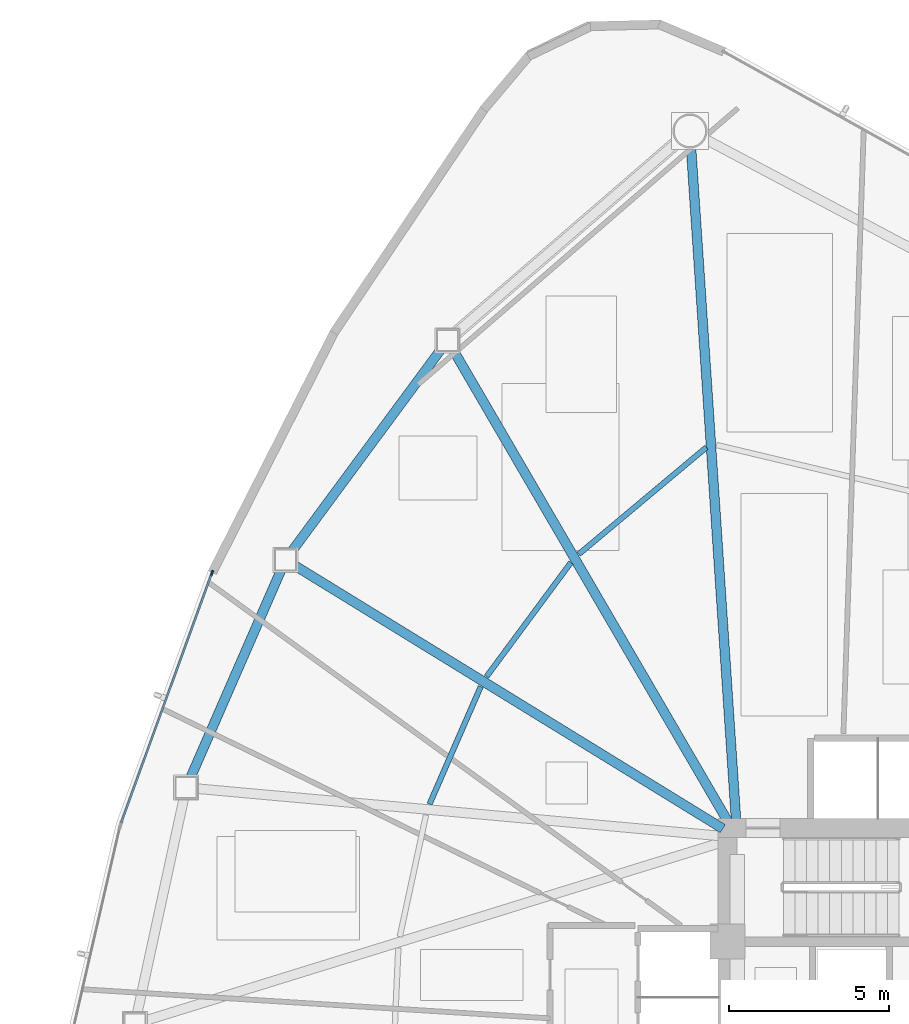
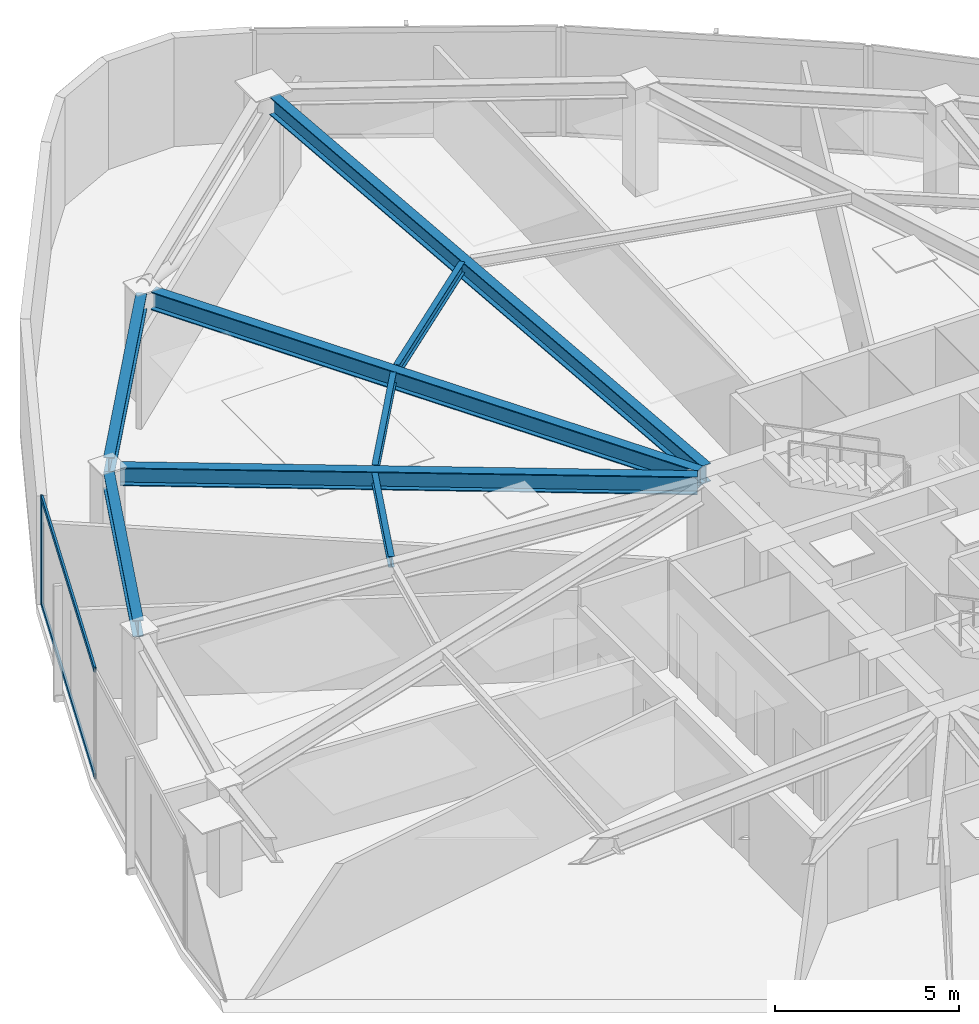
# One storey, part 7 of 17: 8 beams, 3 members, 1 element without a shape of its own.
"""IFC4 building model written with IfcOpenShell, lengths in metres."""

from ifc_helpers import new_model, si_unit, direction, frame, origin, origin_2d, place, context, subcontext, project, spatial, hollow_rectangle, i_section, extrude, source, transform, mapped, material, layer, layer_set, material_profile, profile_set, type_object, type_shapes, element, aggregate, save


model = new_model("IFC4")

# Units and contexts
model_context = context("Model", 3, precision=1e-05, world=origin(), true_north=direction((0.0, 1.0)))
body_context = subcontext(model_context, "Body", "Model", "MODEL_VIEW")
ifc_project = project(units=[si_unit("LENGTHUNIT", "METRE"), si_unit("AREAUNIT", "SQUARE_METRE"), si_unit("VOLUMEUNIT", "CUBIC_METRE"), si_unit("PLANEANGLEUNIT", "RADIAN"), si_unit("MASSUNIT", "GRAM", prefix="KILO")], contexts=[model_context])

# Site, building, storey
site_placement = place(None, origin())
site = spatial("IfcSite", under=ifc_project, at=site_placement, CompositionType="ELEMENT")
building_placement = place(site_placement, origin())
building = spatial("IfcBuilding", under=site, at=building_placement, Name="Tavelor Broadcast Tower", CompositionType="ELEMENT")
storey_placement = place(building_placement, frame((0.0, 0.0, 82.199951171875)))
storey = spatial("IfcBuildingStorey", under=building, at=storey_placement, Name="L19", CompositionType="ELEMENT", Elevation=82.199951171875)

# Beams
ifc_material_1 = material(Name="Steel S355", Category="steel")
ifc_material_profile_1 = material_profile(ifc_material_1, i_section(OverallWidth=0.169921875, OverallDepth=0.360107421875, WebThickness=0.008056640625, FlangeThickness=0.0126953125, at=origin_2d()), Name="IPE 360")
ifc_profile_set_1 = profile_set([ifc_material_profile_1], Name="Steel S355")
beam_type_1 = type_object("IfcBeamType", Name="Composite Floor Joist T2 IPE 360", PredefinedType="JOIST", material=ifc_profile_set_1)
beam_1_placement = place(storey_placement, frame((42.437744140625, 63.38671875, 3.420166015625), z_axis=(-0.766764124222, -0.641928950746, 0.0), x_axis=(0.641928950746, -0.766764124222, 0.0)))
element("IfcBeam", 1, at=beam_1_placement, inside=storey, type_object=beam_type_1, Name="L19 Secondary Composite Floor Joist 01", PredefinedType="JOIST", context=body_context, shape_type="SweptSolid", body=[
    extrude(i_section(OverallWidth=0.169921875, OverallDepth=0.360107421875, WebThickness=0.008056640625, FlangeThickness=0.0126953125, at=origin_2d()), origin(), (0.0, 0.0, 1.0), 5.1982421875),
])
beam_2_placement = place(storey_placement, frame((38.20556640625, 59.7880859375, 3.420166015625), z_axis=(-0.594699209794, -0.803948288057, 0.0), x_axis=(0.803948288057, -0.594699209794, 0.0)))
element("IfcBeam", 2, at=beam_2_placement, inside=storey, type_object=beam_type_1, Name="L19 Secondary Composite Floor Joist 02", PredefinedType="JOIST", context=body_context, shape_type="SweptSolid", body=[
    extrude(i_section(OverallWidth=0.169921875, OverallDepth=0.360107421875, WebThickness=0.008056640625, FlangeThickness=0.0126953125, at=origin_2d()), origin(), (0.0, 0.0, 1.0), 4.432373046875),
])
beam_3_placement = place(storey_placement, frame((35.3896484375, 55.9130859375, 3.420166015625), z_axis=(-0.399446150725, -0.916756659464, 0.0), x_axis=(0.916756659464, -0.399446150725, 0.0)))
element("IfcBeam", 3, at=beam_3_placement, inside=storey, type_object=beam_type_1, Name="L19 Secondary Composite Floor Joist 03", PredefinedType="JOIST", context=body_context, shape_type="SweptSolid", body=[
    extrude(i_section(OverallWidth=0.169921875, OverallDepth=0.360107421875, WebThickness=0.008056640625, FlangeThickness=0.0126953125, at=origin_2d()), origin(), (0.0, 0.0, 1.0), 4.00390625),
])
ifc_material_profile_2 = material_profile(ifc_material_1, i_section(OverallWidth=0.300048828125, OverallDepth=0.550048828125, WebThickness=0.014892578125, FlangeThickness=0.029052734375, at=origin_2d()), Name="HEB 550")
ifc_profile_set_2 = profile_set([ifc_material_profile_2], Name="Steel S355")
beam_type_2 = type_object("IfcBeamType", Name="Perimeter Spandrel Beam T2 HEB 550", PredefinedType="SPANDREL", material=ifc_profile_set_2)
beam_4_placement = place(storey_placement, frame((34.156494140625, 66.45751953125, 3.324951171875), z_axis=(-0.59411824878, -0.804377713805, 0.0), x_axis=(0.804377713805, -0.59411824878, 0.0)))
element("IfcBeam", 4, at=beam_4_placement, inside=storey, type_object=beam_type_2, Name="L19 Framed-Tube Ring Spandrel 02", PredefinedType="SPANDREL", context=body_context, shape_type="SweptSolid", body=[
    extrude(i_section(OverallWidth=0.300048828125, OverallDepth=0.550048828125, WebThickness=0.014892578125, FlangeThickness=0.029052734375, at=origin_2d()), origin(), (0.0, 0.0, 1.0), 7.8515625),
])
beam_5_placement = place(storey_placement, frame((29.157958984375, 59.5634765625, 3.324951171875), z_axis=(-0.399859236649, -0.916576560287, 0.0), x_axis=(0.916576560287, -0.399859236649, 0.0)))
element("IfcBeam", 5, at=beam_5_placement, inside=storey, type_object=beam_type_2, Name="L19 Framed-Tube Ring Spandrel 03", PredefinedType="SPANDREL", context=body_context, shape_type="SweptSolid", body=[
    extrude(i_section(OverallWidth=0.300048828125, OverallDepth=0.550048828125, WebThickness=0.014892578125, FlangeThickness=0.029052734375, at=origin_2d()), origin(), (0.0, 0.0, 1.0), 7.088623046875),
])
ifc_material_profile_3 = material_profile(ifc_material_1, i_section(OverallWidth=0.300048828125, OverallDepth=0.60009765625, WebThickness=0.015380859375, FlangeThickness=0.030029296875, at=origin_2d()), Name="HEB 600")
ifc_profile_set_3 = profile_set([ifc_material_profile_3], Name="Steel S355")
beam_type_3 = type_object("IfcBeamType", Name="Radial Floor Girder T2 HEB 600", PredefinedType="BEAM", material=ifc_profile_set_3)
beam_6_placement = place(storey_placement, frame((43.36474609375, 51.726806640625, 3.300048828125), z_axis=(-0.066782727419, 0.997767541724, 0.0), x_axis=(-0.997767541724, -0.066782727419, 0.0)))
element("IfcBeam", 6, at=beam_6_placement, inside=storey, type_object=beam_type_3, Name="L19 Radial Primary Floor Girder 01", PredefinedType="BEAM", context=body_context, shape_type="SweptSolid", body=[
    extrude(i_section(OverallWidth=0.300048828125, OverallDepth=0.60009765625, WebThickness=0.015380859375, FlangeThickness=0.030029296875, at=origin_2d()), origin(), (0.0, 0.0, 1.0), 21.075439453125),
])
beam_7_placement = place(storey_placement, frame((43.13427734375, 51.65625, 3.300048828125), z_axis=(-0.503292320279, 0.864116219237, 0.0), x_axis=(-0.864116219237, -0.503292320279, 0.0)))
element("IfcBeam", 7, at=beam_7_placement, inside=storey, type_object=beam_type_3, Name="L19 Radial Primary Floor Girder 02", PredefinedType="BEAM", context=body_context, shape_type="SweptSolid", body=[
    extrude(i_section(OverallWidth=0.300048828125, OverallDepth=0.60009765625, WebThickness=0.015380859375, FlangeThickness=0.030029296875, at=origin_2d()), origin(), (0.0, 0.0, 1.0), 17.105712890625),
])
beam_8_placement = place(storey_placement, frame((42.9501953125, 51.4765625, 3.300048828125), z_axis=(-0.851937509834, 0.523643465859, 0.0), x_axis=(-0.523643465859, -0.851937509834, 0.0)))
element("IfcBeam", 8, at=beam_8_placement, inside=storey, type_object=beam_type_3, Name="L19 Radial Primary Floor Girder 03", PredefinedType="BEAM", context=body_context, shape_type="SweptSolid", body=[
    extrude(i_section(OverallWidth=0.300048828125, OverallDepth=0.60009765625, WebThickness=0.015380859375, FlangeThickness=0.030029296875, at=origin_2d()), origin(), (0.0, 0.0, 1.0), 15.69580078125),
])

# Curtain wall, members
ifc_material_2 = material(Name="Architectural Anodized Aluminium", Category="aluminium")
ifc_layer = layer(ifc_material_2, 0.179931640625)
ifc_layer_set = layer_set([ifc_layer], Name="Architectural Anodized Aluminium")
curtain_wall_type = type_object("IfcCurtainWallType", Name="Tower Low-Zone Unitised Curtain Wall CW02", PredefinedType="NOTDEFINED", material=ifc_layer_set)
curtain_wall_placement = place(storey_placement, origin())
curtain_wall = element("IfcCurtainWall", 9, at=curtain_wall_placement, inside=storey, type_object=curtain_wall_type, Name="L19 Curtain Wall CW02 Run 181", PredefinedType="NOTDEFINED")
ifc_material_profile_4 = material_profile(ifc_material_2, hollow_rectangle(XDim=0.06494140625, YDim=0.179931640625, WallThickness=0.02197265625, at=origin_2d()), Name="RHS 65x180x22")
ifc_profile_set_4 = profile_set([ifc_material_profile_4], Name="Architectural Anodized Aluminium")
member_type_1 = type_object("IfcMemberType", Name="CW02 Extruded Aluminium Mullion 65x180", PredefinedType="MULLION", material=ifc_profile_set_4)
shared_shape_1 = source(origin(), body_context, "Body", "SweptSolid", [
    extrude(hollow_rectangle(XDim=0.06494140625, YDim=0.179931640625, WallThickness=0.02197265625, at=origin_2d()), origin(), (0.0, 0.0, 1.0), 3.60009765625),
])
type_shapes(member_type_1, [shared_shape_1])
member_1_placement = place(storey_placement, frame((26.995361328125, 59.45654296875, 0.0), z_axis=(0.0, 0.0, 1.0), x_axis=(0.93983590828, -0.341626207291, 0.0)))
member_1 = element("IfcMember", 10, at=member_1_placement, type_object=member_type_1, Name="CW02 mullion 1", PredefinedType="MULLION", context=body_context, shape_type="MappedRepresentation", body=[
    mapped(shared_shape_1, transform((0.0, 0.0, 0.0), scale=1.0)),
])
ifc_material_profile_5 = material_profile(ifc_material_2, hollow_rectangle(XDim=0.06494140625, YDim=0.179931640625, WallThickness=0.02197265625, at=origin_2d()), Name="RHS 65x180x22")
ifc_profile_set_5 = profile_set([ifc_material_profile_5], Name="Architectural Anodized Aluminium")
member_type_2 = type_object("IfcMemberType", Name="CW02 Extruded Aluminium Transom 65x180", PredefinedType="USERDEFINED", material=ifc_profile_set_5)
shared_shape_2 = source(origin(), body_context, "Body", "SweptSolid", [
    extrude(hollow_rectangle(XDim=0.06494140625, YDim=0.179931640625, WallThickness=0.02197265625, at=origin_2d()), origin(), (0.0, 0.0, 1.0), 8.2529296875),
])
type_shapes(member_type_2, [shared_shape_2])
member_2_placement = place(storey_placement, frame((26.984130859375, 59.426025390625, 0.032470703125), z_axis=(-0.341619547497, -0.939838329059, 0.0), x_axis=(0.939838329059, -0.341619547497, 0.0)))
member_2 = element("IfcMember", 11, at=member_2_placement, type_object=member_type_2, Name="CW02 transom 1.1", ObjectType="TRANSOM", PredefinedType="USERDEFINED", context=body_context, shape_type="MappedRepresentation", body=[
    mapped(shared_shape_2, transform((0.0, 0.0, 0.0), scale=1.0)),
])
member_3_placement = place(storey_placement, frame((26.984130859375, 59.426025390625, 3.567626953125), z_axis=(-0.341619547497, -0.939838329059, 0.0), x_axis=(0.939838329059, -0.341619547497, 0.0)))
member_3 = element("IfcMember", 12, at=member_3_placement, type_object=member_type_2, Name="CW02 transom 1.2", ObjectType="TRANSOM", PredefinedType="USERDEFINED", context=body_context, shape_type="MappedRepresentation", body=[
    mapped(shared_shape_2, transform((0.0, 0.0, 0.0), scale=1.0)),
])
aggregate(curtain_wall, [member_1, member_2, member_3])

save(model, "model.ifc")
